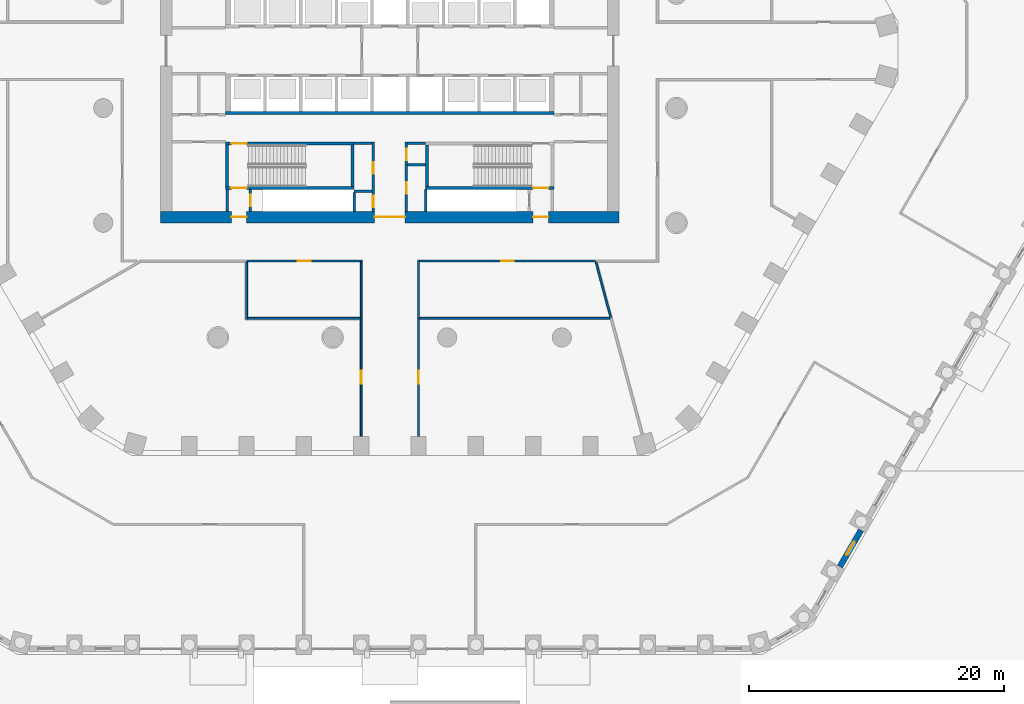
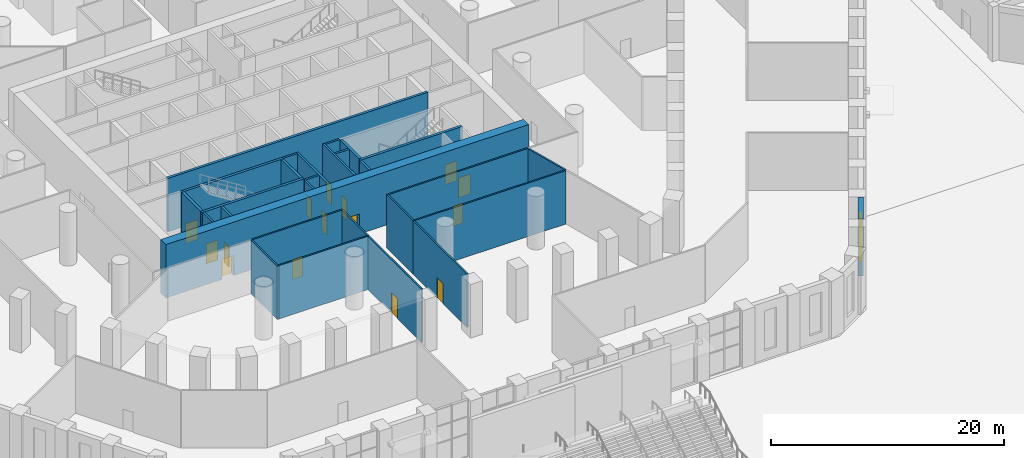
# One storey, part 16 of 44: 29 walls, 15 doors, 1 window, 16 openings.
"""IFC4 building model written with IfcOpenShell, lengths in metres."""

from ifc_helpers import new_model, si_unit, direction, frame, frame_2d, origin, place, context, subcontext, project, spatial, polyline, rectangle, outline, extrude, material, layer, layer_set, type_object, element, fill, save


model = new_model("IFC4")

# Units and contexts
model_context = context("Model", 3, precision=1e-05, world=origin(), true_north=direction((0.0, 1.0)))
body_context = subcontext(model_context, "Body", "Model", "MODEL_VIEW")
ifc_project = project(units=[si_unit("LENGTHUNIT", "METRE"), si_unit("AREAUNIT", "SQUARE_METRE"), si_unit("VOLUMEUNIT", "CUBIC_METRE"), si_unit("PLANEANGLEUNIT", "RADIAN"), si_unit("MASSUNIT", "GRAM", prefix="KILO")], contexts=[model_context])

# Site, building, storey
site_placement = place(None, origin())
site = spatial("IfcSite", under=ifc_project, at=site_placement, CompositionType="ELEMENT")
building_placement = place(site_placement, origin())
building = spatial("IfcBuilding", under=site, at=building_placement, Name="Dhurran Vertical Campus", CompositionType="ELEMENT")
storey_placement = place(building_placement, origin())
storey = spatial("IfcBuildingStorey", under=building, at=storey_placement, Name="L00", CompositionType="ELEMENT", Elevation=0.0)

# Wall, opening, window
ifc_material_1 = material(Name="Precast concrete C50/60", Category="concrete")
ifc_layer_1 = layer(ifc_material_1, 0.449951171875)
ifc_layer_set_1 = layer_set([ifc_layer_1], Name="Precast concrete C50/60")
wall_type_1 = type_object("IfcWallType", Name="Precast base wall 450", PredefinedType="SOLIDWALL", material=ifc_layer_set_1)
wall_1_placement = place(storey_placement, frame((35.329345703125, -40.488525390625, 0.0), z_axis=(0.0, 0.0, 1.0), x_axis=(0.499991515992, 0.866030301974, 0.0)))
wall_1 = element("IfcWall", 1, at=wall_1_placement, inside=storey, type_object=wall_type_1, Name="EW2 L00.15", PredefinedType="SOLIDWALL", context=body_context, shape_type="SweptSolid", body=[
    extrude(rectangle(XDim=3.298828125, YDim=0.449951171875, at=frame_2d((1.6494140625, 0.0))), origin(), (0.0, 0.0, 1.0), 6.0),
])
opening_1_placement = place(wall_1_placement, frame((1.049560546875, 0.0, 0.89990234375)))
opening_1 = element("IfcOpeningElement", 2, at=opening_1_placement, cuts=wall_1, Name="Opening WT5", PredefinedType="OPENING", context=body_context, shape_type="SweptSolid", body=[
    extrude(rectangle(XDim=1.199951171875, YDim=4.199951171875, at=frame_2d((0.60009765625, 2.10009765625))), frame((0.0, 0.23486328125, 0.0), z_axis=(0.0, -1.0, 0.0), x_axis=(1.0, 0.0, 0.0)), (0.0, 0.0, 1.0), 0.469970703125),
])
ifc_material_2 = material(Name="Aluminium frame with solar-control glass", Category="aluminium")
window_type = type_object("IfcWindowType", Name="Ring slot window 1200 x 4200", PartitioningType="SINGLE_PANEL", PredefinedType="WINDOW", material=ifc_material_2)
window_placement = place(opening_1_placement, origin())
window = element("IfcWindow", 3, at=window_placement, inside=storey, type_object=window_type, Name="WT5 L00.15", OverallHeight=4.199951171875, OverallWidth=1.199951171875, PartitioningType="SINGLE_PANEL", PredefinedType="WINDOW", context=body_context, shape_type="SweptSolid", body=[
    extrude(rectangle(XDim=1.199951171875, YDim=4.199951171875, at=frame_2d((0.60009765625, 2.10009765625))), frame((0.0, 0.030029296875, 0.0), z_axis=(0.0, -1.0, 0.0), x_axis=(1.0, 0.0, 0.0)), (0.0, 0.0, 1.0), 0.06005859375),
])
fill(opening_1, window)

# Wall, openings, doors
ifc_material_3 = material(Name="Concrete C60/75", Category="concrete")
ifc_layer_2 = layer(ifc_material_3, 0.89990234375)
ifc_layer_set_2 = layer_set([ifc_layer_2], Name="Concrete C60/75")
wall_type_2 = type_object("IfcWallType", Name="co-CORE-WALL-C0-900", PredefinedType="SHEAR", material=ifc_layer_set_2)
wall_2_placement = place(storey_placement, frame((-18.0, -13.050048828125, 0.0), z_axis=(0.0, 0.0, 1.0), x_axis=(1.0, 0.0, 0.0)))
wall_2 = element("IfcWall", 4, at=wall_2_placement, inside=storey, type_object=wall_type_2, Name="Core wall S L00", PredefinedType="SHEAR", context=body_context, shape_type="SweptSolid", body=[
    extrude(rectangle(XDim=36.0, YDim=0.89990234375, at=frame_2d((18.0, 0.0))), origin(), (0.0, 0.0, 1.0), 5.60009765625),
])
opening_2_placement = place(wall_2_placement, frame((16.800048828125, 0.0, 0.0)))
opening_2 = element("IfcOpeningElement", 5, at=opening_2_placement, cuts=wall_2, Name="Opening CV2", PredefinedType="OPENING", context=body_context, shape_type="SweptSolid", body=[
    extrude(rectangle(XDim=2.39990234375, YDim=2.10009765625, at=frame_2d((1.199951171875, 1.050048828125))), frame((0.0, 0.4599609375, 0.0), z_axis=(0.0, -1.0, 0.0), x_axis=(1.0, 0.0, 0.0)), (0.0, 0.0, 1.0), 0.919921875),
])
opening_3_placement = place(wall_2_placement, frame((5.550048828125, 0.0, 0.0)))
opening_3 = element("IfcOpeningElement", 6, at=opening_3_placement, cuts=wall_2, Name="Opening XD3", PredefinedType="OPENING", context=body_context, shape_type="SweptSolid", body=[
    extrude(rectangle(XDim=1.199951171875, YDim=2.10009765625, at=frame_2d((0.60009765625, 1.050048828125))), frame((0.0, 0.4599609375, 0.0), z_axis=(0.0, -1.0, 0.0), x_axis=(1.0, 0.0, 0.0)), (0.0, 0.0, 1.0), 0.919921875),
])
opening_4_placement = place(wall_2_placement, frame((29.25, 0.0, 0.0)))
opening_4 = element("IfcOpeningElement", 7, at=opening_4_placement, cuts=wall_2, Name="Opening XD4", PredefinedType="OPENING", context=body_context, shape_type="SweptSolid", body=[
    extrude(rectangle(XDim=1.199951171875, YDim=2.10009765625, at=frame_2d((0.60009765625, 1.050048828125))), frame((0.0, 0.4599609375, 0.0), z_axis=(0.0, -1.0, 0.0), x_axis=(1.0, 0.0, 0.0)), (0.0, 0.0, 1.0), 0.919921875),
])
ifc_material_4 = material(Name="Fire-rated glazed door set")
door_type_1 = type_object("IfcDoorType", Name="co-D-LOBBY 2400x2100", OperationType="DOUBLE_DOOR_DOUBLE_SWING", PredefinedType="DOOR", material=ifc_material_4)
door_1_placement = place(opening_2_placement, origin())
door_1 = element("IfcDoor", 8, at=door_1_placement, inside=storey, type_object=door_type_1, Name="Core vestibule door S L00", OperationType="DOUBLE_DOOR_DOUBLE_SWING", OverallHeight=2.10009765625, OverallWidth=2.39990234375, PredefinedType="DOOR", context=body_context, shape_type="SweptSolid", body=[
    extrude(rectangle(XDim=2.39990234375, YDim=2.10009765625, at=frame_2d((1.199951171875, 1.050048828125))), frame((0.0, 0.02490234375, 0.0), z_axis=(0.0, -1.0, 0.0), x_axis=(1.0, 0.0, 0.0)), (0.0, 0.0, 1.0), 0.050048828125),
])
fill(opening_2, door_1)
ifc_material_5 = material(Name="Fire-rated steel door set", Category="steel")
door_type_2 = type_object("IfcDoorType", Name="co-D-STAIR-EXIT 1200x2100", OperationType="SINGLE_SWING_RIGHT", PredefinedType="DOOR", material=ifc_material_5)
door_2_placement = place(opening_3_placement, origin())
door_2 = element("IfcDoor", 9, at=door_2_placement, inside=storey, type_object=door_type_2, Name="Stair ST3 exit door L00", OperationType="SINGLE_SWING_RIGHT", OverallHeight=2.10009765625, OverallWidth=1.199951171875, PredefinedType="DOOR", context=body_context, shape_type="SweptSolid", body=[
    extrude(rectangle(XDim=1.199951171875, YDim=2.10009765625, at=frame_2d((0.60009765625, 1.050048828125))), frame((0.0, 0.02490234375, 0.0), z_axis=(0.0, -1.0, 0.0), x_axis=(1.0, 0.0, 0.0)), (0.0, 0.0, 1.0), 0.050048828125),
])
fill(opening_3, door_2)
door_3_placement = place(opening_4_placement, origin())
door_3 = element("IfcDoor", 10, at=door_3_placement, inside=storey, type_object=door_type_2, Name="Stair ST4 exit door L00", OperationType="SINGLE_SWING_RIGHT", OverallHeight=2.10009765625, OverallWidth=1.199951171875, PredefinedType="DOOR", context=body_context, shape_type="SweptSolid", body=[
    extrude(rectangle(XDim=1.199951171875, YDim=2.10009765625, at=frame_2d((0.60009765625, 1.050048828125))), frame((0.0, 0.02490234375, 0.0), z_axis=(0.0, -1.0, 0.0), x_axis=(1.0, 0.0, 0.0)), (0.0, 0.0, 1.0), 0.050048828125),
])
fill(opening_4, door_3)

# Walls
ifc_material_6 = material(Name="Fire-rated masonry blockwork", Category="masonry")
ifc_layer_3 = layer(ifc_material_6, 0.199951171875)
ifc_layer_set_3 = layer_set([ifc_layer_3], Name="Fire-rated masonry blockwork")
wall_type_3 = type_object("IfcWallType", Name="co-FIRE-PARTITION-200", PredefinedType="PARTITIONING", material=ifc_layer_set_3)
for number, where, z_axis, x_axis, name in (
    (11, (-2.800048828125, -7.25, 0.0), (0.0, 0.0, 1.0), (1.0, 0.0, 0.0), "Core partition sl-SW-S L00"),
    (12, (-2.800048828125, -11.02490234375, 0.0), (0.0, 0.0, 1.0), (1.0, 0.0, 0.0), "Core partition sl-SW-cut0 L00"),
    (13, (1.39990234375, -7.25, 0.0), (0.0, 0.0, 1.0), (1.0, 0.0, 0.0), "Core partition sl-SE-S L00"),
    (14, (1.39990234375, -8.925048828125, 0.0), (0.0, 0.0, 1.0), (1.0, 0.0, 0.0), "Core partition sl-SE-cut0 L00"),
):
    element("IfcWall", number, at=place(storey_placement, frame(where, z_axis=z_axis, x_axis=x_axis)), inside=storey, type_object=wall_type_3, Name=name, PredefinedType="PARTITIONING", context=body_context, shape_type="SweptSolid", body=[
        extrude(rectangle(XDim=1.400146484375, YDim=0.199951171875, at=frame_2d((0.7001953125, 0.0))), origin(), (0.0, 0.0, 1.0), 5.60009765625),
    ])

# Wall, openings, doors
wall_3_placement = place(storey_placement, frame((-1.300048828125, -12.60009765625, 0.0), z_axis=(0.0, 0.0, 1.0), x_axis=(0.0, 1.0, 0.0)))
wall_3 = element("IfcWall", 15, at=wall_3_placement, inside=storey, type_object=wall_type_3, Name="Core partition vest-SW L00", PredefinedType="PARTITIONING", context=body_context, shape_type="SweptSolid", body=[
    extrude(rectangle(XDim=5.4501953125, YDim=0.199951171875, at=frame_2d((2.72509765625, 0.0))), origin(), (0.0, 0.0, 1.0), 5.60009765625),
])
opening_5_placement = place(wall_3_placement, frame((0.33740234375, 0.0, 0.0)))
opening_5 = element("IfcOpeningElement", 16, at=opening_5_placement, cuts=wall_3, Name="Opening PD00-C1", PredefinedType="OPENING", context=body_context, shape_type="SweptSolid", body=[
    extrude(rectangle(XDim=0.89990234375, YDim=2.10009765625, at=frame_2d((0.449951171875, 1.050048828125))), frame((0.0, 0.10986328125, 0.0), z_axis=(0.0, -1.0, 0.0), x_axis=(1.0, 0.0, 0.0)), (0.0, 0.0, 1.0), 0.219970703125),
])
opening_6_placement = place(wall_3_placement, frame((2.96240234375, 0.0, 0.0)))
opening_6 = element("IfcOpeningElement", 17, at=opening_6_placement, cuts=wall_3, Name="Opening PD00-C2", PredefinedType="OPENING", context=body_context, shape_type="SweptSolid", body=[
    extrude(rectangle(XDim=0.89990234375, YDim=2.10009765625, at=frame_2d((0.449951171875, 1.050048828125))), frame((0.0, 0.10986328125, 0.0), z_axis=(0.0, -1.0, 0.0), x_axis=(1.0, 0.0, 0.0)), (0.0, 0.0, 1.0), 0.219970703125),
])
ifc_material_7 = material(Name="Fire-rated timber door set", Category="wood")
door_type_3 = type_object("IfcDoorType", Name="co-D-ROOM 900x2100", OperationType="SINGLE_SWING_LEFT", PredefinedType="DOOR", material=ifc_material_7)
door_4_placement = place(opening_5_placement, origin())
door_4 = element("IfcDoor", 18, at=door_4_placement, inside=storey, type_object=door_type_3, Name="Pantry door L00", OperationType="SINGLE_SWING_LEFT", OverallHeight=2.10009765625, OverallWidth=0.89990234375, PredefinedType="DOOR", context=body_context, shape_type="SweptSolid", body=[
    extrude(rectangle(XDim=0.89990234375, YDim=2.10009765625, at=frame_2d((0.449951171875, 1.050048828125))), frame((0.0, 0.02490234375, 0.0), z_axis=(0.0, -1.0, 0.0), x_axis=(1.0, 0.0, 0.0)), (0.0, 0.0, 1.0), 0.050048828125),
])
fill(opening_5, door_4)
door_5_placement = place(opening_6_placement, origin())
door_5 = element("IfcDoor", 19, at=door_5_placement, inside=storey, type_object=door_type_3, Name="Communications room door L00", OperationType="SINGLE_SWING_LEFT", OverallHeight=2.10009765625, OverallWidth=0.89990234375, PredefinedType="DOOR", context=body_context, shape_type="SweptSolid", body=[
    extrude(rectangle(XDim=0.89990234375, YDim=2.10009765625, at=frame_2d((0.449951171875, 1.050048828125))), frame((0.0, 0.02490234375, 0.0), z_axis=(0.0, -1.0, 0.0), x_axis=(1.0, 0.0, 0.0)), (0.0, 0.0, 1.0), 0.050048828125),
])
fill(opening_6, door_5)

wall_4_placement = place(storey_placement, frame((1.300048828125, -12.60009765625, 0.0), z_axis=(0.0, 0.0, 1.0), x_axis=(0.0, 1.0, 0.0)))
wall_4 = element("IfcWall", 20, at=wall_4_placement, inside=storey, type_object=wall_type_3, Name="Core partition vest-SE L00", PredefinedType="PARTITIONING", context=body_context, shape_type="SweptSolid", body=[
    extrude(rectangle(XDim=5.4501953125, YDim=0.199951171875, at=frame_2d((2.72509765625, 0.0))), origin(), (0.0, 0.0, 1.0), 5.60009765625),
])
opening_7_placement = place(wall_4_placement, frame((1.387451171875, 0.0, 0.0)))
opening_7 = element("IfcOpeningElement", 21, at=opening_7_placement, cuts=wall_4, Name="Opening PD00-C3", PredefinedType="OPENING", context=body_context, shape_type="SweptSolid", body=[
    extrude(rectangle(XDim=0.89990234375, YDim=2.10009765625, at=frame_2d((0.449951171875, 1.050048828125))), frame((0.0, 0.10986328125, 0.0), z_axis=(0.0, -1.0, 0.0), x_axis=(1.0, 0.0, 0.0)), (0.0, 0.0, 1.0), 0.219970703125),
])
opening_8_placement = place(wall_4_placement, frame((4.012451171875, 0.0, 0.0)))
opening_8 = element("IfcOpeningElement", 22, at=opening_8_placement, cuts=wall_4, Name="Opening PD00-C4", PredefinedType="OPENING", context=body_context, shape_type="SweptSolid", body=[
    extrude(rectangle(XDim=0.89990234375, YDim=2.10009765625, at=frame_2d((0.449951171875, 1.050048828125))), frame((0.0, 0.10986328125, 0.0), z_axis=(0.0, -1.0, 0.0), x_axis=(1.0, 0.0, 0.0)), (0.0, 0.0, 1.0), 0.219970703125),
])
door_6_placement = place(opening_7_placement, origin())
door_6 = element("IfcDoor", 23, at=door_6_placement, inside=storey, type_object=door_type_3, Name="Fire equipment store door L00", OperationType="SINGLE_SWING_LEFT", OverallHeight=2.10009765625, OverallWidth=0.89990234375, PredefinedType="DOOR", context=body_context, shape_type="SweptSolid", body=[
    extrude(rectangle(XDim=0.89990234375, YDim=2.10009765625, at=frame_2d((0.449951171875, 1.050048828125))), frame((0.0, 0.02490234375, 0.0), z_axis=(0.0, -1.0, 0.0), x_axis=(1.0, 0.0, 0.0)), (0.0, 0.0, 1.0), 0.050048828125),
])
fill(opening_7, door_6)
door_7_placement = place(opening_8_placement, origin())
door_7 = element("IfcDoor", 24, at=door_7_placement, inside=storey, type_object=door_type_3, Name="Cleaner's store door L00", OperationType="SINGLE_SWING_LEFT", OverallHeight=2.10009765625, OverallWidth=0.89990234375, PredefinedType="DOOR", context=body_context, shape_type="SweptSolid", body=[
    extrude(rectangle(XDim=0.89990234375, YDim=2.10009765625, at=frame_2d((0.449951171875, 1.050048828125))), frame((0.0, 0.02490234375, 0.0), z_axis=(0.0, -1.0, 0.0), x_axis=(1.0, 0.0, 0.0)), (0.0, 0.0, 1.0), 0.050048828125),
])
fill(opening_8, door_7)

# Wall
wall_5_placement = place(storey_placement, frame((-12.75, -12.60009765625, 0.0), z_axis=(0.0, 0.0, 1.0), x_axis=(0.0, 1.0, 0.0)))
element("IfcWall", 25, at=wall_5_placement, inside=storey, type_object=wall_type_3, Name="Core partition pass-ST3-o L00", PredefinedType="PARTITIONING", context=body_context, shape_type="SweptSolid", body=[
    extrude(rectangle(XDim=1.7001953125, YDim=0.199951171875, at=frame_2d((0.85009765625, 0.0))), origin(), (0.0, 0.0, 1.0), 5.60009765625),
])

# Wall, opening, door
wall_6_placement = place(storey_placement, frame((-10.949951171875, -12.60009765625, 0.0), z_axis=(0.0, 0.0, 1.0), x_axis=(0.0, 1.0, 0.0)))
wall_6 = element("IfcWall", 26, at=wall_6_placement, inside=storey, type_object=wall_type_3, Name="Core partition pass-ST3-i L00", PredefinedType="PARTITIONING", context=body_context, shape_type="SweptSolid", body=[
    extrude(rectangle(XDim=1.7001953125, YDim=0.199951171875, at=frame_2d((0.85009765625, 0.0))), origin(), (0.0, 0.0, 1.0), 5.60009765625),
])
opening_9_placement = place(wall_6_placement, frame((0.39990234375, 0.0, 0.0)))
opening_9 = element("IfcOpeningElement", 27, at=opening_9_placement, cuts=wall_6, Name="Opening PD00-C13", PredefinedType="OPENING", context=body_context, shape_type="SweptSolid", body=[
    extrude(rectangle(XDim=0.89990234375, YDim=2.10009765625, at=frame_2d((0.449951171875, 1.050048828125))), frame((0.0, 0.10986328125, 0.0), z_axis=(0.0, -1.0, 0.0), x_axis=(1.0, 0.0, 0.0)), (0.0, 0.0, 1.0), 0.219970703125),
])
door_8_placement = place(opening_9_placement, origin())
door_8 = element("IfcDoor", 28, at=door_8_placement, inside=storey, type_object=door_type_3, Name="Riser room door L00", OperationType="SINGLE_SWING_LEFT", OverallHeight=2.10009765625, OverallWidth=0.89990234375, PredefinedType="DOOR", context=body_context, shape_type="SweptSolid", body=[
    extrude(rectangle(XDim=0.89990234375, YDim=2.10009765625, at=frame_2d((0.449951171875, 1.050048828125))), frame((0.0, 0.02490234375, 0.0), z_axis=(0.0, -1.0, 0.0), x_axis=(1.0, 0.0, 0.0)), (0.0, 0.0, 1.0), 0.050048828125),
])
fill(opening_9, door_8)

# Walls
wall_7_placement = place(storey_placement, frame((-2.800048828125, -12.59912109375, 0.0), z_axis=(0.0, 0.0, 1.0), x_axis=(0.0, 1.0, 0.0)))
element("IfcWall", 29, at=wall_7_placement, inside=storey, type_object=wall_type_3, Name="Riser enclosure wall L00", PredefinedType="PARTITIONING", context=body_context, shape_type="SweptSolid", body=[
    extrude(rectangle(XDim=1.47314453125, YDim=0.199951171875, at=frame_2d((0.736572265625, 0.0))), origin(), (0.0, 0.0, 1.0), 5.60009765625),
])
wall_8_placement = place(storey_placement, frame((2.800048828125, -10.90087890625, 0.0), z_axis=(0.0, 0.0, 1.0), x_axis=(0.0, -1.0, 0.0)))
element("IfcWall", 30, at=wall_8_placement, inside=storey, type_object=wall_type_3, Name="Riser enclosure wall L00", PredefinedType="PARTITIONING", context=body_context, shape_type="SweptSolid", body=[
    extrude(rectangle(XDim=1.6982421875, YDim=0.199951171875, at=frame_2d((0.84912109375, 0.0))), origin(), (0.0, 0.0, 1.0), 5.60009765625),
])
ifc_material_8 = material(Name="Concrete C50/60", Category="concrete")
ifc_layer_4 = layer(ifc_material_8, 0.25)
ifc_layer_set_4 = layer_set([ifc_layer_4], Name="Concrete C50/60")
wall_type_4 = type_object("IfcWallType", Name="co-SHAFT-MASS-250", PredefinedType="SHEAR", material=ifc_layer_set_4)
wall_9_placement = place(storey_placement, origin())
element("IfcWall", 31, at=wall_9_placement, inside=storey, type_object=wall_type_4, Name="Lift shaft wall S L00 1", PredefinedType="SHEAR", context=body_context, shape_type="SweptSolid", body=[
    extrude(outline(polyline([(-12.89990234375, -5.0), (12.89990234375, -5.0), (12.89990234375, -4.75), (-12.89990234375, -4.75), (-12.89990234375, -5.0)])), origin(), (0.0, 0.0, 1.0), 5.60009765625),
])

# Wall, opening, door
ifc_material_9 = material(Name="Concrete C40/50", Category="concrete")
ifc_layer_5 = layer(ifc_material_9, 0.25)
ifc_layer_set_5 = layer_set([ifc_layer_5], Name="Concrete C40/50")
wall_type_5 = type_object("IfcWallType", Name="co-STAIR-WALL-250", PredefinedType="SHEAR", material=ifc_layer_set_5)
wall_10_placement = place(storey_placement, frame((-12.89990234375, -10.77490234375, 0.0), z_axis=(0.0, 0.0, 1.0), x_axis=(1.0, 0.0, 0.0)))
wall_10 = element("IfcWall", 32, at=wall_10_placement, inside=storey, type_object=wall_type_5, Name="Stair ST3 enclosure wall L00", PredefinedType="SHEAR", context=body_context, shape_type="SweptSolid", body=[
    extrude(rectangle(XDim=10.099853515625, YDim=0.25, at=frame_2d((5.0498046875, 0.0))), origin(), (0.0, 0.0, 1.0), 5.60009765625),
])
opening_10_placement = place(wall_10_placement, frame((0.449951171875, 0.0, 0.0)))
opening_10 = element("IfcOpeningElement", 33, at=opening_10_placement, cuts=wall_10, Name="Opening XS3", PredefinedType="OPENING", context=body_context, shape_type="SweptSolid", body=[
    extrude(rectangle(XDim=1.199951171875, YDim=2.10009765625, at=frame_2d((0.60009765625, 1.050048828125))), frame((0.0, 0.135009765625, 0.0), z_axis=(0.0, -1.0, 0.0), x_axis=(1.0, 0.0, 0.0)), (0.0, 0.0, 1.0), 0.27001953125),
])
door_9_placement = place(opening_10_placement, origin())
door_9 = element("IfcDoor", 34, at=door_9_placement, inside=storey, type_object=door_type_2, Name="Stair ST3 discharge door L00", OperationType="SINGLE_SWING_RIGHT", OverallHeight=2.10009765625, OverallWidth=1.199951171875, PredefinedType="DOOR", context=body_context, shape_type="SweptSolid", body=[
    extrude(rectangle(XDim=1.199951171875, YDim=2.10009765625, at=frame_2d((0.60009765625, 1.050048828125))), frame((0.0, 0.02490234375, 0.0), z_axis=(0.0, -1.0, 0.0), x_axis=(1.0, 0.0, 0.0)), (0.0, 0.0, 1.0), 0.050048828125),
])
fill(opening_10, door_9)

wall_11_placement = place(storey_placement, frame((-12.89990234375, -7.27490234375, 0.0), z_axis=(0.0, 0.0, 1.0), x_axis=(1.0, 0.0, 0.0)))
wall_11 = element("IfcWall", 35, at=wall_11_placement, inside=storey, type_object=wall_type_5, Name="Stair ST3 enclosure wall L00", PredefinedType="SHEAR", context=body_context, shape_type="SweptSolid", body=[
    extrude(rectangle(XDim=10.099853515625, YDim=0.25, at=frame_2d((5.0498046875, 0.0))), origin(), (0.0, 0.0, 1.0), 5.60009765625),
])
opening_11_placement = place(wall_11_placement, frame((0.449951171875, 0.0, 0.0)))
opening_11 = element("IfcOpeningElement", 36, at=opening_11_placement, cuts=wall_11, Name="Opening SD3", PredefinedType="OPENING", context=body_context, shape_type="SweptSolid", body=[
    extrude(rectangle(XDim=1.199951171875, YDim=2.10009765625, at=frame_2d((0.60009765625, 1.050048828125))), frame((0.0, 0.135009765625, 0.0), z_axis=(0.0, -1.0, 0.0), x_axis=(1.0, 0.0, 0.0)), (0.0, 0.0, 1.0), 0.27001953125),
])
ifc_material_10 = material(Name="Fire-rated steel door set", Category="steel")
door_type_4 = type_object("IfcDoorType", Name="co-D-STAIR 1200x2100", OperationType="SINGLE_SWING_LEFT", PredefinedType="DOOR", material=ifc_material_10)
door_10_placement = place(opening_11_placement, origin())
door_10 = element("IfcDoor", 37, at=door_10_placement, inside=storey, type_object=door_type_4, Name="Stair ST3 door L00", OperationType="SINGLE_SWING_LEFT", OverallHeight=2.10009765625, OverallWidth=1.199951171875, PredefinedType="DOOR", context=body_context, shape_type="SweptSolid", body=[
    extrude(rectangle(XDim=1.199951171875, YDim=2.10009765625, at=frame_2d((0.60009765625, 1.050048828125))), frame((0.0, 0.02490234375, 0.0), z_axis=(0.0, -1.0, 0.0), x_axis=(1.0, 0.0, 0.0)), (0.0, 0.0, 1.0), 0.050048828125),
])
fill(opening_11, door_10)

# Walls
for number, where, z_axis, x_axis, name in (
    (38, (-12.77490234375, -10.64990234375, 0.0), (0.0, 0.0, 1.0), (0.0, 1.0, 0.0), "Stair ST3 enclosure wall L00"),
    (39, (-2.925048828125, -10.64990234375, 0.0), (0.0, 0.0, 1.0), (0.0, 1.0, 0.0), "Stair ST3 enclosure wall L00"),
):
    element("IfcWall", number, at=place(storey_placement, frame(where, z_axis=z_axis, x_axis=x_axis)), inside=storey, type_object=wall_type_5, Name=name, PredefinedType="SHEAR", context=body_context, shape_type="SweptSolid", body=[
        extrude(rectangle(XDim=3.25, YDim=0.25, at=frame_2d((1.625, 0.0))), origin(), (0.0, 0.0, 1.0), 5.60009765625),
    ])

# Wall, opening, door
wall_12_placement = place(storey_placement, frame((2.800048828125, -10.77490234375, 0.0), z_axis=(0.0, 0.0, 1.0), x_axis=(1.0, 0.0, 0.0)))
wall_12 = element("IfcWall", 40, at=wall_12_placement, inside=storey, type_object=wall_type_5, Name="Stair ST4 enclosure wall L00", PredefinedType="SHEAR", context=body_context, shape_type="SweptSolid", body=[
    extrude(rectangle(XDim=10.099853515625, YDim=0.25, at=frame_2d((5.0498046875, 0.0))), origin(), (0.0, 0.0, 1.0), 5.60009765625),
])
opening_12_placement = place(wall_12_placement, frame((8.449951171875, 0.0, 0.0)))
opening_12 = element("IfcOpeningElement", 41, at=opening_12_placement, cuts=wall_12, Name="Opening XS4", PredefinedType="OPENING", context=body_context, shape_type="SweptSolid", body=[
    extrude(rectangle(XDim=1.199951171875, YDim=2.10009765625, at=frame_2d((0.60009765625, 1.050048828125))), frame((0.0, 0.135009765625, 0.0), z_axis=(0.0, -1.0, 0.0), x_axis=(1.0, 0.0, 0.0)), (0.0, 0.0, 1.0), 0.27001953125),
])
door_11_placement = place(opening_12_placement, origin())
door_11 = element("IfcDoor", 42, at=door_11_placement, inside=storey, type_object=door_type_2, Name="Stair ST4 discharge door L00", OperationType="SINGLE_SWING_RIGHT", OverallHeight=2.10009765625, OverallWidth=1.199951171875, PredefinedType="DOOR", context=body_context, shape_type="SweptSolid", body=[
    extrude(rectangle(XDim=1.199951171875, YDim=2.10009765625, at=frame_2d((0.60009765625, 1.050048828125))), frame((0.0, 0.02490234375, 0.0), z_axis=(0.0, -1.0, 0.0), x_axis=(1.0, 0.0, 0.0)), (0.0, 0.0, 1.0), 0.050048828125),
])
fill(opening_12, door_11)

# Wall
wall_13_placement = place(storey_placement, frame((2.925048828125, -10.64990234375, 0.0), z_axis=(0.0, 0.0, 1.0), x_axis=(0.0, 1.0, 0.0)))
element("IfcWall", 43, at=wall_13_placement, inside=storey, type_object=wall_type_5, Name="Stair ST4 enclosure wall L00", PredefinedType="SHEAR", context=body_context, shape_type="SweptSolid", body=[
    extrude(rectangle(XDim=3.25, YDim=0.25, at=frame_2d((1.625, 0.0))), origin(), (0.0, 0.0, 1.0), 5.60009765625),
])

# Wall, opening, door
ifc_material_11 = material(Name="Gypsum board corridor wall on steel studs", Category="steel")
ifc_layer_6 = layer(ifc_material_11, 0.14990234375)
ifc_layer_set_6 = layer_set([ifc_layer_6], Name="Gypsum board corridor wall on steel studs")
wall_type_6 = type_object("IfcWallType", Name="fl-CW-150 corridor wall", PredefinedType="PARTITIONING", material=ifc_layer_set_6)
wall_14_placement = place(storey_placement, frame((-11.25, -16.5, 0.0), z_axis=(0.0, 0.0, 1.0), x_axis=(1.0, 0.0, 0.0)))
wall_14 = element("IfcWall", 44, at=wall_14_placement, inside=storey, type_object=wall_type_6, Name="Partition 00-30", PredefinedType="PARTITIONING", context=body_context, shape_type="SweptSolid", body=[
    extrude(rectangle(XDim=9.074951171875, YDim=0.14990234375, at=frame_2d((4.53759765625, 0.0))), origin(), (0.0, 0.0, 1.0), 5.60009765625),
])
opening_13_placement = place(wall_14_placement, frame((4.03759765625, 0.0, 0.0)))
opening_13 = element("IfcOpeningElement", 45, at=opening_13_placement, cuts=wall_14, Name="Opening PD00.19", PredefinedType="OPENING", context=body_context, shape_type="SweptSolid", body=[
    extrude(rectangle(XDim=1.0, YDim=2.10009765625, at=frame_2d((0.5, 1.050048828125))), frame((0.0, 0.0849609375, 0.0), z_axis=(0.0, -1.0, 0.0), x_axis=(1.0, 0.0, 0.0)), (0.0, 0.0, 1.0), 0.169921875),
])
ifc_material_12 = material(Name="Solid-core timber door set, fire-rated", Category="wood")
door_type_5 = type_object("IfcDoorType", Name="fl-D-1000x2100", OperationType="SINGLE_SWING_LEFT", PredefinedType="DOOR", material=ifc_material_12)
door_12_placement = place(opening_13_placement, origin())
door_12 = element("IfcDoor", 46, at=door_12_placement, inside=storey, type_object=door_type_5, Name="Door 00.19", OperationType="SINGLE_SWING_RIGHT", OverallHeight=2.10009765625, OverallWidth=1.0, PredefinedType="DOOR", context=body_context, shape_type="SweptSolid", body=[
    extrude(rectangle(XDim=1.0, YDim=2.10009765625, at=frame_2d((0.5, 1.050048828125))), frame((0.0, 0.02490234375, 0.0), z_axis=(0.0, -1.0, 0.0), x_axis=(1.0, 0.0, 0.0)), (0.0, 0.0, 1.0), 0.050048828125),
])
fill(opening_13, door_12)

wall_15_placement = place(storey_placement, frame((-2.25, -30.259765625, 0.0), z_axis=(0.0, 0.0, 1.0), x_axis=(0.0, 1.0, 0.0)))
wall_15 = element("IfcWall", 47, at=wall_15_placement, inside=storey, type_object=wall_type_6, Name="Partition 00-39", PredefinedType="PARTITIONING", context=body_context, shape_type="SweptSolid", body=[
    extrude(rectangle(XDim=9.259765625, YDim=0.14990234375, at=frame_2d((4.6298828125, 0.0))), origin(), (0.0, 0.0, 1.0), 5.60009765625),
])
opening_14_placement = place(wall_15_placement, frame((4.1298828125, 0.0, 0.0)))
opening_14 = element("IfcOpeningElement", 48, at=opening_14_placement, cuts=wall_15, Name="Opening PD00.17", PredefinedType="OPENING", context=body_context, shape_type="SweptSolid", body=[
    extrude(rectangle(XDim=1.0, YDim=2.10009765625, at=frame_2d((0.5, 1.050048828125))), frame((0.0, 0.0849609375, 0.0), z_axis=(0.0, -1.0, 0.0), x_axis=(1.0, 0.0, 0.0)), (0.0, 0.0, 1.0), 0.169921875),
])
door_13_placement = place(opening_14_placement, origin())
door_13 = element("IfcDoor", 49, at=door_13_placement, inside=storey, type_object=door_type_5, Name="Door 00.17", OperationType="SINGLE_SWING_RIGHT", OverallHeight=2.10009765625, OverallWidth=1.0, PredefinedType="DOOR", context=body_context, shape_type="SweptSolid", body=[
    extrude(rectangle(XDim=1.0, YDim=2.10009765625, at=frame_2d((0.5, 1.050048828125))), frame((0.0, 0.02490234375, 0.0), z_axis=(0.0, -1.0, 0.0), x_axis=(1.0, 0.0, 0.0)), (0.0, 0.0, 1.0), 0.050048828125),
])
fill(opening_14, door_13)

# Wall
wall_16_placement = place(storey_placement, frame((-2.25, -21.0, 0.0), z_axis=(0.0, 0.0, 1.0), x_axis=(0.0, 1.0, 0.0)))
element("IfcWall", 50, at=wall_16_placement, inside=storey, type_object=wall_type_6, Name="Partition 00-40", PredefinedType="PARTITIONING", context=body_context, shape_type="SweptSolid", body=[
    extrude(rectangle(XDim=4.425048828125, YDim=0.14990234375, at=frame_2d((2.21240234375, 0.0))), origin(), (0.0, 0.0, 1.0), 5.60009765625),
])

# Wall, opening, door
wall_17_placement = place(storey_placement, frame((2.25, -21.0, 0.0), z_axis=(0.0, 0.0, 1.0), x_axis=(0.0, -1.0, 0.0)))
wall_17 = element("IfcWall", 51, at=wall_17_placement, inside=storey, type_object=wall_type_6, Name="Partition 00-44", PredefinedType="PARTITIONING", context=body_context, shape_type="SweptSolid", body=[
    extrude(rectangle(XDim=9.259765625, YDim=0.14990234375, at=frame_2d((4.6298828125, 0.0))), origin(), (0.0, 0.0, 1.0), 5.60009765625),
])
opening_15_placement = place(wall_17_placement, frame((4.1298828125, 0.0, 0.0)))
opening_15 = element("IfcOpeningElement", 52, at=opening_15_placement, cuts=wall_17, Name="Opening PD00.24", PredefinedType="OPENING", context=body_context, shape_type="SweptSolid", body=[
    extrude(rectangle(XDim=1.0, YDim=2.10009765625, at=frame_2d((0.5, 1.050048828125))), frame((0.0, 0.0849609375, 0.0), z_axis=(0.0, -1.0, 0.0), x_axis=(1.0, 0.0, 0.0)), (0.0, 0.0, 1.0), 0.169921875),
])
door_14_placement = place(opening_15_placement, origin())
door_14 = element("IfcDoor", 53, at=door_14_placement, inside=storey, type_object=door_type_5, Name="Door 00.24", OperationType="SINGLE_SWING_RIGHT", OverallHeight=2.10009765625, OverallWidth=1.0, PredefinedType="DOOR", context=body_context, shape_type="SweptSolid", body=[
    extrude(rectangle(XDim=1.0, YDim=2.10009765625, at=frame_2d((0.5, 1.050048828125))), frame((0.0, 0.02490234375, 0.0), z_axis=(0.0, -1.0, 0.0), x_axis=(1.0, 0.0, 0.0)), (0.0, 0.0, 1.0), 0.050048828125),
])
fill(opening_15, door_14)

# Wall
wall_18_placement = place(storey_placement, frame((2.25, -16.425048828125, 0.0), z_axis=(0.0, 0.0, 1.0), x_axis=(0.0, -1.0, 0.0)))
element("IfcWall", 54, at=wall_18_placement, inside=storey, type_object=wall_type_6, Name="Partition 00-45", PredefinedType="PARTITIONING", context=body_context, shape_type="SweptSolid", body=[
    extrude(rectangle(XDim=4.574951171875, YDim=0.14990234375, at=frame_2d((2.28759765625, 0.0))), origin(), (0.0, 0.0, 1.0), 5.60009765625),
])

# Wall, opening, door
wall_19_placement = place(storey_placement, frame((2.324951171875, -16.5, 0.0), z_axis=(0.0, 0.0, 1.0), x_axis=(1.0, 0.0, 0.0)))
wall_19 = element("IfcWall", 55, at=wall_19_placement, inside=storey, type_object=wall_type_6, Name="Partition 00-47", PredefinedType="PARTITIONING", context=body_context, shape_type="SweptSolid", body=[
    extrude(rectangle(XDim=13.8310546875, YDim=0.14990234375, at=frame_2d((6.91552734375, 0.0))), origin(), (0.0, 0.0, 1.0), 5.60009765625),
])
opening_16_placement = place(wall_19_placement, frame((6.41552734375, 0.0, 0.0)))
opening_16 = element("IfcOpeningElement", 56, at=opening_16_placement, cuts=wall_19, Name="Opening PD00.23", PredefinedType="OPENING", context=body_context, shape_type="SweptSolid", body=[
    extrude(rectangle(XDim=1.0, YDim=2.10009765625, at=frame_2d((0.5, 1.050048828125))), frame((0.0, 0.0849609375, 0.0), z_axis=(0.0, -1.0, 0.0), x_axis=(1.0, 0.0, 0.0)), (0.0, 0.0, 1.0), 0.169921875),
])
door_15_placement = place(opening_16_placement, origin())
door_15 = element("IfcDoor", 57, at=door_15_placement, inside=storey, type_object=door_type_5, Name="Door 00.23", OperationType="SINGLE_SWING_LEFT", OverallHeight=2.10009765625, OverallWidth=1.0, PredefinedType="DOOR", context=body_context, shape_type="SweptSolid", body=[
    extrude(rectangle(XDim=1.0, YDim=2.10009765625, at=frame_2d((0.5, 1.050048828125))), frame((0.0, 0.02490234375, 0.0), z_axis=(0.0, -1.0, 0.0), x_axis=(1.0, 0.0, 0.0)), (0.0, 0.0, 1.0), 0.050048828125),
])
fill(opening_16, door_15)

# Walls
ifc_material_13 = material(Name="Gypsum board partition on steel studs", Category="steel")
ifc_layer_7 = layer(ifc_material_13, 0.14990234375)
ifc_layer_set_7 = layer_set([ifc_layer_7], Name="Gypsum board partition on steel studs")
wall_type_7 = type_object("IfcWallType", Name="fl-PW-150 fixed partition", PredefinedType="PARTITIONING", material=ifc_layer_set_7)
wall_20_placement = place(storey_placement, frame((-11.25, -16.574951171875, 0.0), z_axis=(0.0, 0.0, 1.0), x_axis=(0.0, -1.0, 0.0)))
element("IfcWall", 58, at=wall_20_placement, inside=storey, type_object=wall_type_7, Name="Partition 00-28", PredefinedType="PARTITIONING", context=body_context, shape_type="SweptSolid", body=[
    extrude(rectangle(XDim=4.5, YDim=0.14990234375, at=frame_2d((2.25, 0.0))), origin(), (0.0, 0.0, 1.0), 5.60009765625),
])
wall_21_placement = place(storey_placement, frame((-11.175048828125, -21.0, 0.0), z_axis=(0.0, 0.0, 1.0), x_axis=(1.0, 0.0, 0.0)))
element("IfcWall", 59, at=wall_21_placement, inside=storey, type_object=wall_type_7, Name="Partition 00-29", PredefinedType="PARTITIONING", context=body_context, shape_type="SweptSolid", body=[
    extrude(rectangle(XDim=8.85009765625, YDim=0.14990234375, at=frame_2d((4.425048828125, 0.0))), origin(), (0.0, 0.0, 1.0), 5.60009765625),
])
wall_22_placement = place(storey_placement, frame((17.287109375, -21.0, 0.0), z_axis=(0.0, 0.0, 1.0), x_axis=(-1.0, 0.0, 0.0)))
element("IfcWall", 60, at=wall_22_placement, inside=storey, type_object=wall_type_7, Name="Partition 00-46", PredefinedType="PARTITIONING", context=body_context, shape_type="SweptSolid", body=[
    extrude(rectangle(XDim=14.962158203125, YDim=0.14990234375, at=frame_2d((7.48095703125, 0.0))), origin(), (0.0, 0.0, 1.0), 5.60009765625),
])
wall_23_placement = place(storey_placement, frame((16.1806640625, -16.591796875, 0.0), z_axis=(0.0, 0.0, 1.0), x_axis=(0.258852599715, -0.965916834733, 0.0)))
element("IfcWall", 61, at=wall_23_placement, inside=storey, type_object=wall_type_7, Name="Partition 00-59", PredefinedType="PARTITIONING", context=body_context, shape_type="SweptSolid", body=[
    extrude(rectangle(XDim=4.46875, YDim=0.14990234375, at=frame_2d((2.234375, 0.0))), origin(), (0.0, 0.0, 1.0), 5.60009765625),
])

save(model, "model.ifc")
